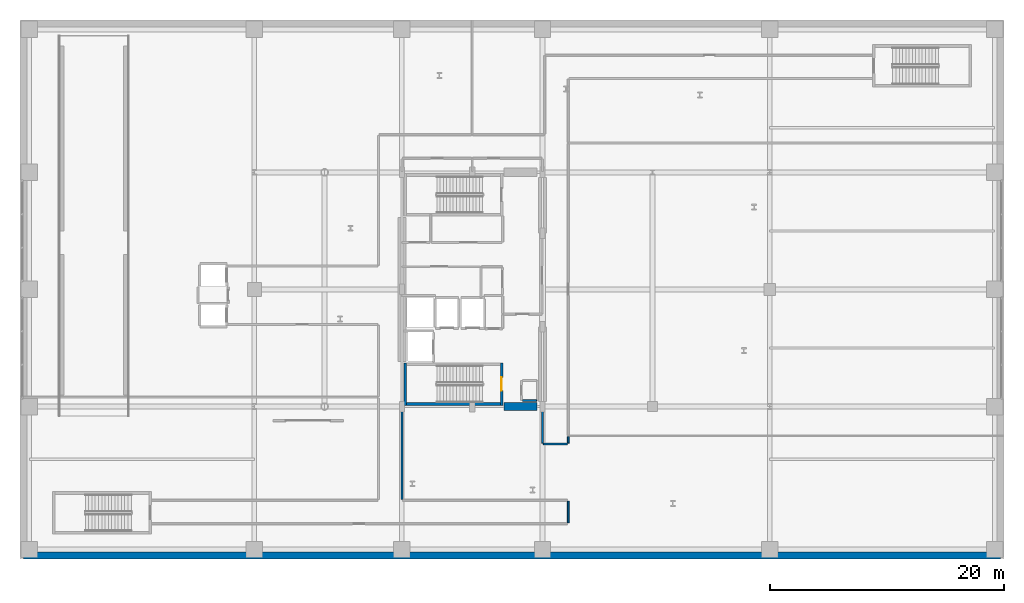
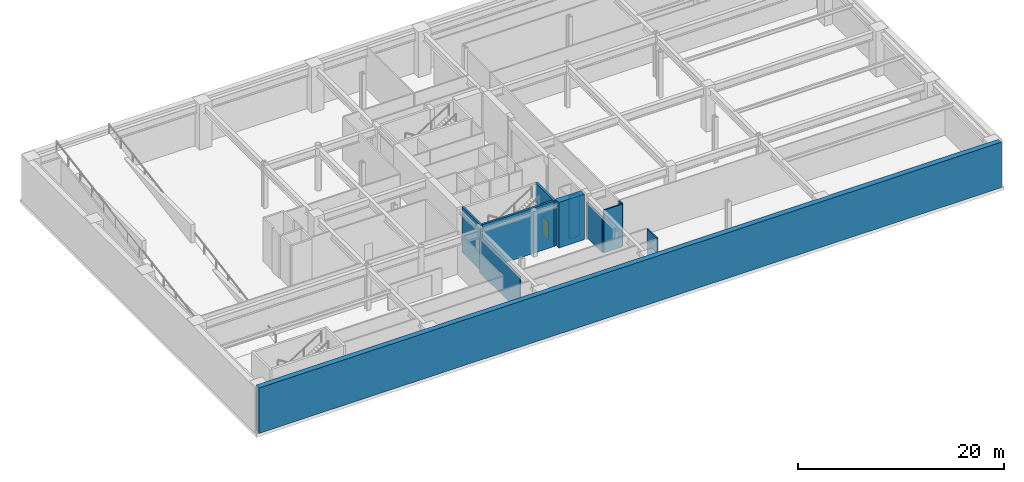
# One storey, part 16 of 25: 11 walls, 1 door, 1 opening.
"""IFC4 building model written with IfcOpenShell, lengths in metres."""

from ifc_helpers import new_model, si_unit, direction, frame, frame_2d, origin, place, context, subcontext, project, spatial, rectangle, extrude, material, layer, layer_set, type_object, element, fill, save


model = new_model("IFC4")

# Units and contexts
model_context = context("Model", 3, precision=1e-05, world=origin(), true_north=direction((0.0, 1.0)))
body_context = subcontext(model_context, "Body", "Model", "MODEL_VIEW")
ifc_project = project(units=[si_unit("LENGTHUNIT", "METRE"), si_unit("AREAUNIT", "SQUARE_METRE"), si_unit("VOLUMEUNIT", "CUBIC_METRE"), si_unit("PLANEANGLEUNIT", "RADIAN"), si_unit("MASSUNIT", "GRAM", prefix="KILO")], contexts=[model_context])

# Site, building, storey
site_placement = place(None, origin())
site = spatial("IfcSite", under=ifc_project, at=site_placement, CompositionType="ELEMENT")
building_placement = place(site_placement, origin())
building = spatial("IfcBuilding", under=site, at=building_placement, Name="Soratama Intermodal Tower", CompositionType="ELEMENT")
storey_placement = place(building_placement, frame((0.0, 0.0, -5.39990234375)))
storey = spatial("IfcBuildingStorey", under=building, at=storey_placement, Name="B1", CompositionType="ELEMENT", Elevation=-5.39990234375)

# Walls
ifc_material_1 = material(Name="Fire-rated gypsum stud partition", Category="concrete")
ifc_layer_1 = layer(ifc_material_1, 0.14990234375)
ifc_layer_set_1 = layer_set([ifc_layer_1], Name="Fire-rated gypsum stud partition")
wall_type_1 = type_object("IfcWallType", Name="IW-PART-R150", PredefinedType="PARTITIONING", material=ifc_layer_set_1)
wall_1_placement = place(storey_placement, frame((42.89990234375, 15.52001953125, 0.0), z_axis=(0.0, 0.0, 1.0), x_axis=(1.0, 0.0, 0.0)))
element("IfcWall", 1, at=wall_1_placement, inside=storey, type_object=wall_type_1, Name="B1 Riser Wall S", PredefinedType="PARTITIONING", context=body_context, shape_type="SweptSolid", body=[
    extrude(rectangle(XDim=1.2001953125, YDim=0.14990234375, at=frame_2d((0.60009765625, 0.0))), origin(), (0.0, 0.0, 1.0), 5.079833984375),
])
wall_2_placement = place(storey_placement, frame((32.60009765625, 14.929931640625, 0.0), z_axis=(0.0, 0.0, 1.0), x_axis=(0.0, -1.0, 0.0)))
element("IfcWall", 2, at=wall_2_placement, inside=storey, type_object=wall_type_1, Name="B1 Partition W-B1-TP015", PredefinedType="PARTITIONING", context=body_context, shape_type="SweptSolid", body=[
    extrude(rectangle(XDim=7.85986328125, YDim=0.14990234375, at=frame_2d((3.929931640625, 0.0))), origin(), (0.0, 0.0, 1.0), 4.201904296875),
])
wall_3_placement = place(storey_placement, frame((44.60009765625, 11.8701171875, 0.0), z_axis=(0.0, 0.0, 1.0), x_axis=(0.0, 1.0, 0.0)))
element("IfcWall", 3, at=wall_3_placement, inside=storey, type_object=wall_type_1, Name="B1 Partition W-B1-TP027", PredefinedType="PARTITIONING", context=body_context, shape_type="SweptSolid", body=[
    extrude(rectangle(XDim=3.059814453125, YDim=0.14990234375, at=frame_2d((1.52978515625, 0.0))), origin(), (0.0, 0.0, 1.0), 4.201904296875),
])
wall_4_placement = place(storey_placement, frame((46.72998046875, 11.800048828125, 0.0), z_axis=(0.0, 0.0, 1.0), x_axis=(-1.0, 0.0, 0.0)))
element("IfcWall", 4, at=wall_4_placement, inside=storey, type_object=wall_type_1, Name="B1 Partition W-B1-TP034", PredefinedType="PARTITIONING", context=body_context, shape_type="SweptSolid", body=[
    extrude(rectangle(XDim=2.06005859375, YDim=0.14990234375, at=frame_2d((1.030029296875, 0.0))), origin(), (0.0, 0.0, 1.0), 5.079833984375),
])
wall_5_placement = place(storey_placement, frame((46.800048828125, 6.929931640625, 0.0), z_axis=(0.0, 0.0, 1.0), x_axis=(0.0, -1.0, 0.0)))
element("IfcWall", 5, at=wall_5_placement, inside=storey, type_object=wall_type_1, Name="B1 Partition W-B1-TP035", PredefinedType="PARTITIONING", context=body_context, shape_type="SweptSolid", body=[
    extrude(rectangle(XDim=1.85986328125, YDim=0.14990234375, at=frame_2d((0.929931640625, 0.0))), origin(), (0.0, 0.0, 1.0), 5.079833984375),
])
wall_6_placement = place(storey_placement, frame((46.800048828125, 12.429931640625, 0.0), z_axis=(0.0, 0.0, 1.0), x_axis=(0.0, -1.0, 0.0)))
element("IfcWall", 6, at=wall_6_placement, inside=storey, type_object=wall_type_1, Name="B1 Partition W-B1-TP046", PredefinedType="PARTITIONING", context=body_context, shape_type="SweptSolid", body=[
    extrude(rectangle(XDim=0.559814453125, YDim=0.14990234375, at=frame_2d((0.27978515625, 0.0))), origin(), (0.0, 0.0, 1.0), 5.079833984375),
])
ifc_material_2 = material(Name="Concrete f'c 42 MPa", Category="concrete")
ifc_layer_2 = layer(ifc_material_2, 0.60009765625)
ifc_layer_set_2 = layer_set([ifc_layer_2], Name="Concrete f'c 42 MPa")
wall_type_2 = type_object("IfcWallType", Name="RW-BSMT-600", PredefinedType="USERDEFINED", material=ifc_layer_set_2)
wall_7_placement = place(storey_placement, frame((0.300048828125, 2.300048828125, 0.0), z_axis=(0.0, 0.0, 1.0), x_axis=(1.0, 0.0, 0.0)))
element("IfcWall", 7, at=wall_7_placement, inside=storey, type_object=wall_type_2, Name="B1 Retaining Wall S", ObjectType="RETAINING WALL", PredefinedType="USERDEFINED", context=body_context, shape_type="SweptSolid", body=[
    extrude(rectangle(XDim=83.39990234375, YDim=0.60009765625, at=frame_2d((41.699951171875, 0.0))), origin(), (0.0, 0.0, 1.0), 5.39990234375),
])
ifc_material_3 = material(Name="Concrete f'c 56 MPa", Category="concrete")
ifc_layer_3 = layer(ifc_material_3, 0.699951171875)
ifc_layer_set_3 = layer_set([ifc_layer_3], Name="Concrete f'c 56 MPa")
wall_type_3 = type_object("IfcWallType", Name="SW-CORE-700", PredefinedType="SHEAR", material=ifc_layer_set_3)
wall_8_placement = place(storey_placement, frame((41.300048828125, 15.0, 0.0), z_axis=(0.0, 0.0, 1.0), x_axis=(1.0, 0.0, 0.0)))
element("IfcWall", 8, at=wall_8_placement, inside=storey, type_object=wall_type_3, Name="B1 Core Shear Wall CW-SE", PredefinedType="SHEAR", context=body_context, shape_type="SweptSolid", body=[
    extrude(rectangle(XDim=2.849853515625, YDim=0.699951171875, at=frame_2d((1.4248046875, 0.0))), origin(), (0.0, 0.0, 1.0), 5.39990234375),
])
ifc_material_4 = material(Name="Concrete f'c 56 MPa", Category="concrete")
ifc_layer_4 = layer(ifc_material_4, 0.239990234375)
ifc_layer_set_4 = layer_set([ifc_layer_4], Name="Concrete f'c 56 MPa")
wall_type_4 = type_object("IfcWallType", Name="SW-STAIR-240", PredefinedType="SHEAR", material=ifc_layer_set_4)
wall_9_placement = place(storey_placement, frame((32.8798828125, 15.110107421875, 0.0), z_axis=(0.0, 0.0, 1.0), x_axis=(0.0, 1.0, 0.0)))
element("IfcWall", 9, at=wall_9_placement, inside=storey, type_object=wall_type_4, Name="B1 ST-1 Shaft Shear Wall W", PredefinedType="SHEAR", context=body_context, shape_type="SweptSolid", body=[
    extrude(rectangle(XDim=3.6298828125, YDim=0.239990234375, at=frame_2d((1.81494140625, 0.0))), origin(), (0.0, 0.0, 1.0), 5.39990234375),
])

# Wall, opening, door
wall_10_placement = place(storey_placement, frame((41.1201171875, 15.110107421875, 0.0), z_axis=(0.0, 0.0, 1.0), x_axis=(0.0, 1.0, 0.0)))
wall_10 = element("IfcWall", 10, at=wall_10_placement, inside=storey, type_object=wall_type_4, Name="B1 ST-1 Shaft Shear Wall E", PredefinedType="SHEAR", context=body_context, shape_type="SweptSolid", body=[
    extrude(rectangle(XDim=3.6298828125, YDim=0.239990234375, at=frame_2d((1.81494140625, 0.0))), origin(), (0.0, 0.0, 1.0), 5.39990234375),
])
opening_placement = place(wall_10_placement, frame((1.2548828125, 0.0, 0.0)))
opening = element("IfcOpeningElement", 11, at=opening_placement, cuts=wall_10, Name="Opening SD-1", PredefinedType="OPENING", context=body_context, shape_type="SweptSolid", body=[
    extrude(rectangle(XDim=1.1201171875, YDim=2.14990234375, at=frame_2d((0.56005859375, 1.074951171875))), frame((0.0, 0.1298828125, 0.0), z_axis=(0.0, -1.0, 0.0), x_axis=(1.0, 0.0, 0.0)), (0.0, 0.0, 1.0), 0.260009765625),
])
ifc_material_5 = material(Name="Steel fire door", Category="steel")
door_type = type_object("IfcDoorType", Name="DR-STAIR-FD90", OperationType="NOTDEFINED", PredefinedType="DOOR", material=ifc_material_5)
door_placement = place(opening_placement, origin())
door = element("IfcDoor", 12, at=door_placement, inside=storey, type_object=door_type, Name="B1 ST-1 Exit Stair Door", OperationType="SINGLE_SWING_LEFT", OverallHeight=2.14990234375, OverallWidth=1.1201171875, PredefinedType="DOOR", context=body_context, shape_type="SweptSolid", body=[
    extrude(rectangle(XDim=1.1201171875, YDim=2.14990234375, at=frame_2d((0.56005859375, 1.074951171875))), frame((0.0, 0.02490234375, 0.0), z_axis=(0.0, -1.0, 0.0), x_axis=(1.0, 0.0, 0.0)), (0.0, 0.0, 1.0), 0.050048828125),
])
fill(opening, door)

# Wall
wall_11_placement = place(storey_placement, frame((33.0, 15.22998046875, 0.0), z_axis=(0.0, 0.0, 1.0), x_axis=(1.0, 0.0, 0.0)))
element("IfcWall", 13, at=wall_11_placement, inside=storey, type_object=wall_type_4, Name="B1 ST-1 Shaft Shear Wall S", PredefinedType="SHEAR", context=body_context, shape_type="SweptSolid", body=[
    extrude(rectangle(XDim=8.0, YDim=0.239990234375, at=frame_2d((4.0, 0.0))), origin(), (0.0, 0.0, 1.0), 5.39990234375),
])

save(model, "model.ifc")
